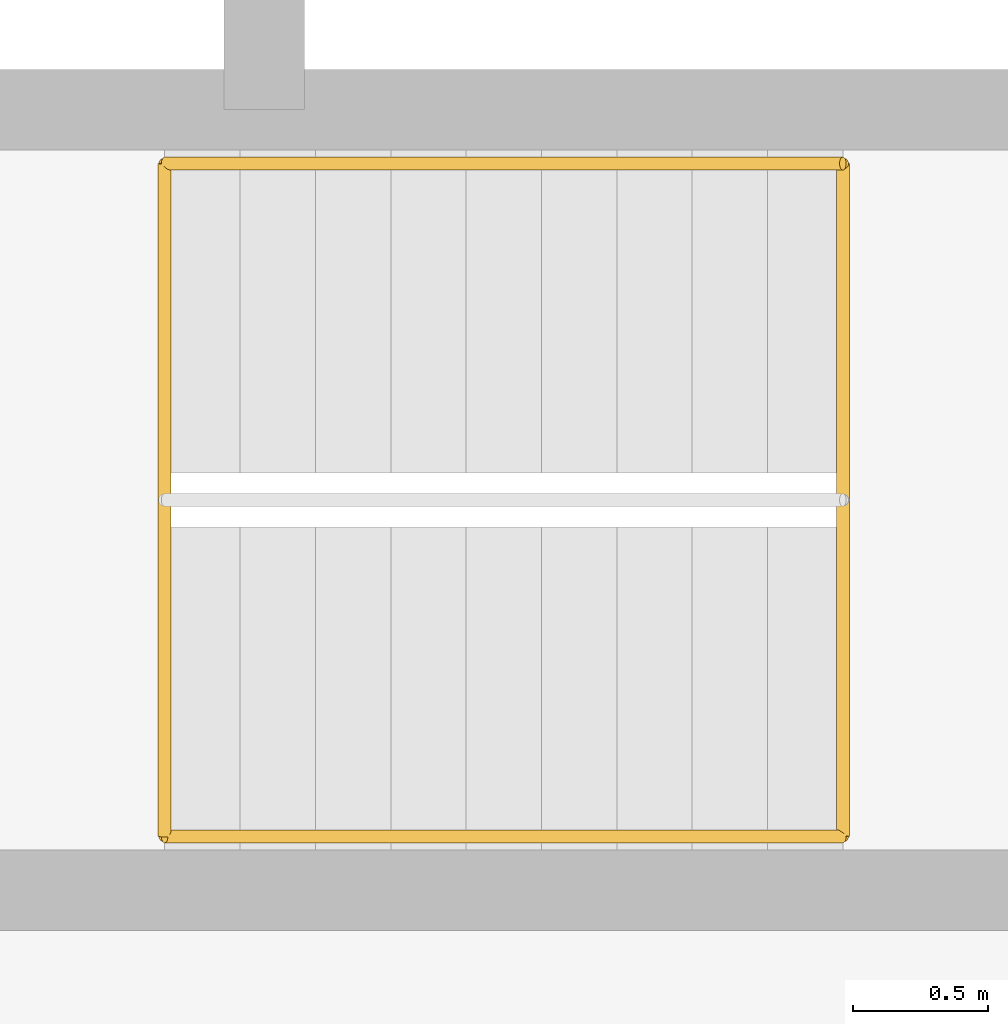
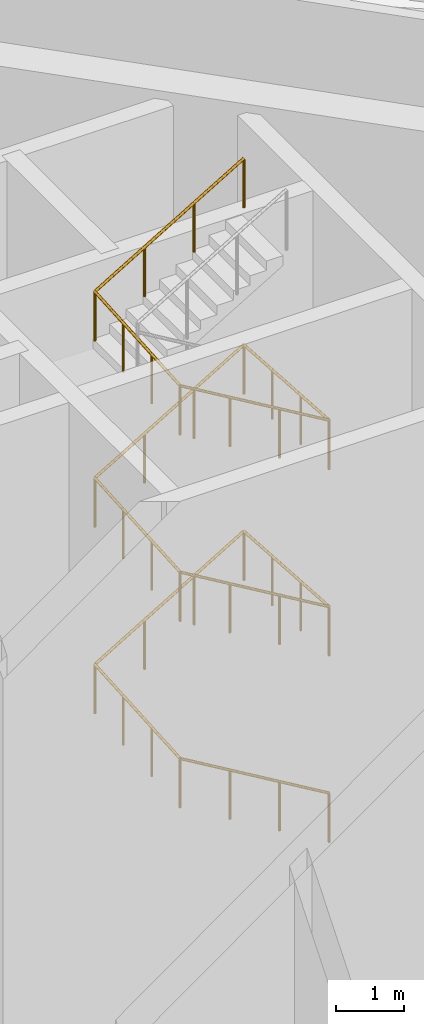
# One storey, part 23 of 23: 1 railing.
"""IFC4 building model written with IfcOpenShell, lengths in metres."""

from ifc_helpers import new_model, si_unit, direction, frame, origin, origin_2d, place, context, subcontext, project, spatial, circle, extrude, material, type_object, element, save


model = new_model("IFC4")

# Units and contexts
model_context = context("Model", 3, precision=1e-05, world=origin(), true_north=direction((0.0, 1.0)))
body_context = subcontext(model_context, "Body", "Model", "MODEL_VIEW")
ifc_project = project(units=[si_unit("LENGTHUNIT", "METRE"), si_unit("AREAUNIT", "SQUARE_METRE"), si_unit("VOLUMEUNIT", "CUBIC_METRE"), si_unit("PLANEANGLEUNIT", "RADIAN"), si_unit("MASSUNIT", "GRAM", prefix="KILO")], contexts=[model_context])

# Site, building, storey
site_placement = place(None, origin())
site = spatial("IfcSite", under=ifc_project, at=site_placement, CompositionType="ELEMENT")
building_placement = place(site_placement, origin())
building = spatial("IfcBuilding", under=site, at=building_placement, Name="Entoto Ring Tower", CompositionType="ELEMENT")
storey_placement = place(building_placement, frame((0.0, 0.0, 392.0)))
storey = spatial("IfcBuildingStorey", under=building, at=storey_placement, Name="L91", CompositionType="ELEMENT", Elevation=392.0)

# Railing
ifc_material = material(Name="Steel S275", Category="steel")
railing_type = type_object("IfcRailingType", Name="Stair handrail 900 mm steel", PredefinedType="HANDRAIL", material=ifc_material)
railing_placement = place(storey_placement, frame((99.25, 85.0, 0.166748046875)))
element("IfcRailing", 1, at=railing_placement, inside=storey, type_object=railing_type, Name="Handrail ST1", PredefinedType="HANDRAIL", context=body_context, shape_type="SweptSolid", body=[
    extrude(circle(Radius=0.02392578125, at=origin_2d()), frame((0.0, 0.0, 0.8759765625), z_axis=(-0.859294626741, 0.0, 0.511480932639), x_axis=(0.0, -1.0, 0.0)), (0.0, 0.0, 1.0), 2.9326171875),
    extrude(circle(Radius=0.02392578125, at=origin_2d()), frame((-2.52001953125, 0.0, 2.3759765625), z_axis=(0.0, 0.997789467282, 0.066454337567), x_axis=(-1.0, 0.0, 0.0)), (0.0, 0.0, 1.0), 2.505615234375),
    extrude(circle(Radius=0.02392578125, at=origin_2d()), frame((-2.52001953125, 2.5, 2.54248046875), z_axis=(0.859294626741, 0.0, 0.511480932639), x_axis=(0.0, 1.0, 0.0)), (0.0, 0.0, 1.0), 2.9326171875),
    extrude(circle(Radius=0.02392578125, at=origin_2d()), frame((0.0, 2.5, 4.04248046875), z_axis=(0.0, -0.997783001586, 0.066551346688), x_axis=(1.0, 0.0, 0.0)), (0.0, 0.0, 1.0), 2.505615234375),
    extrude(circle(Radius=0.02392578125, at=origin_2d()), frame((0.0, 0.0, 4.208984375), z_axis=(-0.859294626741, 0.0, 0.511480932639), x_axis=(0.0, -1.0, 0.0)), (0.0, 0.0, 1.0), 2.9326171875),
    extrude(circle(Radius=0.02392578125, at=origin_2d()), frame((-2.52001953125, 0.0, 5.708984375), z_axis=(0.0, 0.997783001586, 0.066551346688), x_axis=(-1.0, 0.0, 0.0)), (0.0, 0.0, 1.0), 2.505615234375),
    extrude(circle(Radius=0.02392578125, at=origin_2d()), frame((-2.52001953125, 2.5, 5.8759765625), z_axis=(0.859294626741, 0.0, 0.511480932639), x_axis=(0.0, 1.0, 0.0)), (0.0, 0.0, 1.0), 2.9326171875),
    extrude(circle(Radius=0.02392578125, at=origin_2d()), frame((0.0, 2.5, 7.3759765625), z_axis=(0.0, -0.997789467282, 0.066454337567), x_axis=(1.0, 0.0, 0.0)), (0.0, 0.0, 1.0), 2.505615234375),
    extrude(circle(Radius=0.02392578125, at=origin_2d()), frame((0.0, 0.0, 7.54248046875), z_axis=(-0.859294626741, 0.0, 0.511480932639), x_axis=(0.0, -1.0, 0.0)), (0.0, 0.0, 1.0), 2.9326171875),
    extrude(circle(Radius=0.02392578125, at=origin_2d()), frame((-2.52001953125, 0.0, 9.04248046875), z_axis=(0.0, 0.997783001586, 0.066551346688), x_axis=(-1.0, 0.0, 0.0)), (0.0, 0.0, 1.0), 2.505615234375),
    extrude(circle(Radius=0.02392578125, at=origin_2d()), frame((-2.52001953125, 2.5, 9.208984375), z_axis=(0.859294626741, 0.0, 0.511480932639), x_axis=(0.0, 1.0, 0.0)), (0.0, 0.0, 1.0), 2.9326171875),
    extrude(circle(Radius=0.02099609375, at=origin_2d()), origin(), (0.0, 0.0, 1.0), 0.851806640625),
    extrude(circle(Radius=0.02099609375, at=origin_2d()), frame((-0.840087890625, 0.0, 0.5)), (0.0, 0.0, 1.0), 0.851806640625),
    extrude(circle(Radius=0.02099609375, at=origin_2d()), frame((-1.679931640625, 0.0, 1.0)), (0.0, 0.0, 1.0), 0.851806640625),
    extrude(circle(Radius=0.02099609375, at=origin_2d()), frame((-2.52001953125, 0.0, 1.5)), (0.0, 0.0, 1.0), 0.851806640625),
    extrude(circle(Radius=0.02099609375, at=origin_2d()), frame((-2.52001953125, 0.833251953125, 1.555419921875)), (0.0, 0.0, 1.0), 0.851806640625),
    extrude(circle(Radius=0.02099609375, at=origin_2d()), frame((-2.52001953125, 1.666748046875, 1.611083984375)), (0.0, 0.0, 1.0), 0.851806640625),
    extrude(circle(Radius=0.02099609375, at=origin_2d()), frame((-2.52001953125, 2.5, 1.66650390625)), (0.0, 0.0, 1.0), 0.851806640625),
    extrude(circle(Radius=0.02099609375, at=origin_2d()), frame((-1.679931640625, 2.5, 2.16650390625)), (0.0, 0.0, 1.0), 0.851806640625),
    extrude(circle(Radius=0.02099609375, at=origin_2d()), frame((-0.840087890625, 2.5, 2.66650390625)), (0.0, 0.0, 1.0), 0.851806640625),
    extrude(circle(Radius=0.02099609375, at=origin_2d()), frame((0.0, 2.5, 3.16650390625)), (0.0, 0.0, 1.0), 0.851806640625),
    extrude(circle(Radius=0.02099609375, at=origin_2d()), frame((0.0, 1.666748046875, 3.22216796875)), (0.0, 0.0, 1.0), 0.851806640625),
    extrude(circle(Radius=0.02099609375, at=origin_2d()), frame((0.0, 0.833251953125, 3.277587890625)), (0.0, 0.0, 1.0), 0.851806640625),
    extrude(circle(Radius=0.02099609375, at=origin_2d()), frame((0.0, 0.0, 3.333251953125)), (0.0, 0.0, 1.0), 0.851806640625),
    extrude(circle(Radius=0.02099609375, at=origin_2d()), frame((-0.840087890625, 0.0, 3.833251953125)), (0.0, 0.0, 1.0), 0.851806640625),
    extrude(circle(Radius=0.02099609375, at=origin_2d()), frame((-1.679931640625, 0.0, 4.333251953125)), (0.0, 0.0, 1.0), 0.851806640625),
    extrude(circle(Radius=0.02099609375, at=origin_2d()), frame((-2.52001953125, 0.0, 4.833251953125)), (0.0, 0.0, 1.0), 0.851806640625),
    extrude(circle(Radius=0.02099609375, at=origin_2d()), frame((-2.52001953125, 0.833251953125, 4.888916015625)), (0.0, 0.0, 1.0), 0.851806640625),
    extrude(circle(Radius=0.02099609375, at=origin_2d()), frame((-2.52001953125, 1.666748046875, 4.9443359375)), (0.0, 0.0, 1.0), 0.851806640625),
    extrude(circle(Radius=0.02099609375, at=origin_2d()), frame((-2.52001953125, 2.5, 5.0)), (0.0, 0.0, 1.0), 0.851806640625),
    extrude(circle(Radius=0.02099609375, at=origin_2d()), frame((-1.679931640625, 2.5, 5.5)), (0.0, 0.0, 1.0), 0.851806640625),
    extrude(circle(Radius=0.02099609375, at=origin_2d()), frame((-0.840087890625, 2.5, 6.0)), (0.0, 0.0, 1.0), 0.851806640625),
    extrude(circle(Radius=0.02099609375, at=origin_2d()), frame((0.0, 2.5, 6.5)), (0.0, 0.0, 1.0), 0.851806640625),
    extrude(circle(Radius=0.02099609375, at=origin_2d()), frame((0.0, 1.666748046875, 6.555419921875)), (0.0, 0.0, 1.0), 0.851806640625),
    extrude(circle(Radius=0.02099609375, at=origin_2d()), frame((0.0, 0.833251953125, 6.611083984375)), (0.0, 0.0, 1.0), 0.851806640625),
    extrude(circle(Radius=0.02099609375, at=origin_2d()), frame((0.0, 0.0, 6.66650390625)), (0.0, 0.0, 1.0), 0.851806640625),
    extrude(circle(Radius=0.02099609375, at=origin_2d()), frame((-0.840087890625, 0.0, 7.16650390625)), (0.0, 0.0, 1.0), 0.851806640625),
    extrude(circle(Radius=0.02099609375, at=origin_2d()), frame((-1.679931640625, 0.0, 7.66650390625)), (0.0, 0.0, 1.0), 0.851806640625),
    extrude(circle(Radius=0.02099609375, at=origin_2d()), frame((-2.52001953125, 0.0, 8.16650390625)), (0.0, 0.0, 1.0), 0.851806640625),
    extrude(circle(Radius=0.02099609375, at=origin_2d()), frame((-2.52001953125, 0.833251953125, 8.22216796875)), (0.0, 0.0, 1.0), 0.851806640625),
    extrude(circle(Radius=0.02099609375, at=origin_2d()), frame((-2.52001953125, 1.666748046875, 8.277587890625)), (0.0, 0.0, 1.0), 0.851806640625),
    extrude(circle(Radius=0.02099609375, at=origin_2d()), frame((-2.52001953125, 2.5, 8.333251953125)), (0.0, 0.0, 1.0), 0.851806640625),
    extrude(circle(Radius=0.02099609375, at=origin_2d()), frame((-1.679931640625, 2.5, 8.833251953125)), (0.0, 0.0, 1.0), 0.851806640625),
    extrude(circle(Radius=0.02099609375, at=origin_2d()), frame((-0.840087890625, 2.5, 9.333251953125)), (0.0, 0.0, 1.0), 0.851806640625),
    extrude(circle(Radius=0.02099609375, at=origin_2d()), frame((0.0, 2.5, 9.833251953125)), (0.0, 0.0, 1.0), 0.851806640625),
])

save(model, "model.ifc")
